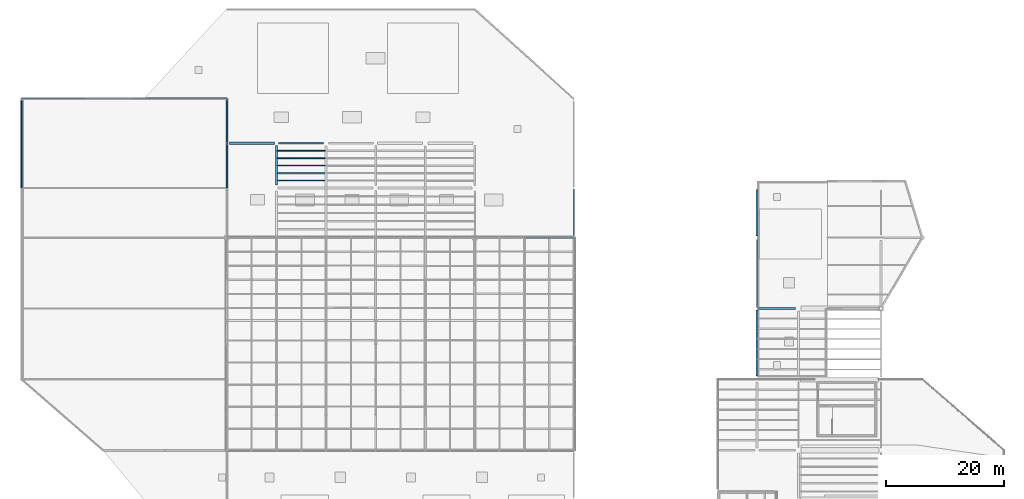
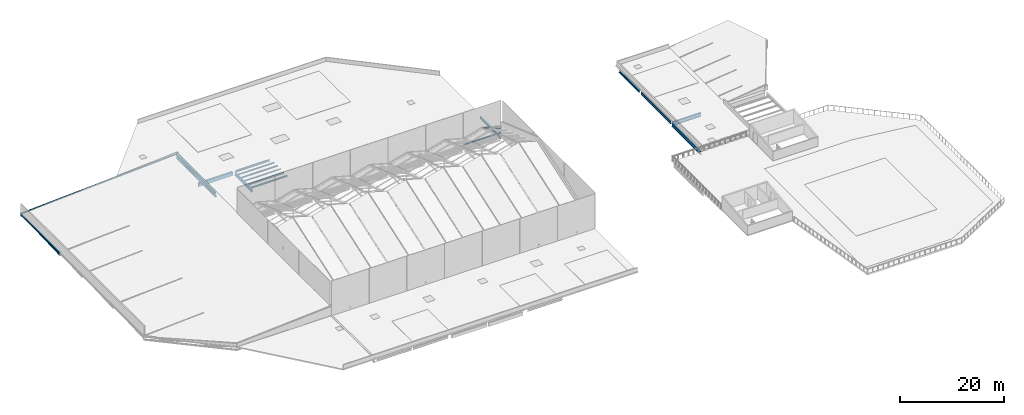
# One storey, part 36 of 77: 14 beams, 10 members.
"""IFC4 building model written with IfcOpenShell, lengths in metres."""

from ifc_helpers import new_model, si_unit, direction, frame, origin, origin_2d, place, context, subcontext, project, spatial, rectangle, hollow_rectangle, hollow_circle, i_section, extrude, material, material_profile, profile_set, type_object, element, save


model = new_model("IFC4")

# Units and contexts
model_context = context("Model", 3, precision=1e-05, world=origin(), true_north=direction((0.0, 1.0)))
body_context = subcontext(model_context, "Body", "Model", "MODEL_VIEW")
ifc_project = project(units=[si_unit("LENGTHUNIT", "METRE"), si_unit("AREAUNIT", "SQUARE_METRE"), si_unit("VOLUMEUNIT", "CUBIC_METRE"), si_unit("PLANEANGLEUNIT", "RADIAN"), si_unit("MASSUNIT", "GRAM", prefix="KILO")], contexts=[model_context])

# Site, building, storey
site_placement = place(None, origin())
site = spatial("IfcSite", under=ifc_project, at=site_placement, CompositionType="ELEMENT")
building_placement = place(site_placement, origin())
building = spatial("IfcBuilding", under=site, at=building_placement, Name="Larkvane Passage Sports Hall", CompositionType="ELEMENT")
storey_placement = place(building_placement, frame((0.0, 0.0, 22.199951171875)))
storey = spatial("IfcBuildingStorey", under=building, at=storey_placement, Name="RF", CompositionType="ELEMENT", Elevation=22.199951171875)

# Beams
ifc_material_1 = material(Name="Steel S355JR", Category="steel")
ifc_material_profile_1 = material_profile(ifc_material_1, i_section(OverallWidth=0.199951171875, OverallDepth=0.2939453125, WebThickness=0.008056640625, FlangeThickness=0.011962890625, FilletRadius=0.012939453125, at=origin_2d()), Name="H-294x200x8x12")
ifc_profile_set_1 = profile_set([ifc_material_profile_1], Name="Steel S355JR")
beam_type_1 = type_object("IfcBeamType", Name="BM-STL-H294", PredefinedType="BEAM", material=ifc_profile_set_1)
beam_1_placement = place(storey_placement, frame((85.199951171875, 75.60009765625, 0.81298828125), z_axis=(1.0, 0.0, 0.0), x_axis=(0.0, 1.0, 0.0)))
element("IfcBeam", 1, at=beam_1_placement, inside=storey, type_object=beam_type_1, Name="Arena roof north clerestory lintel beam 7", PredefinedType="BEAM", context=body_context, shape_type="SweptSolid", body=[
    extrude(i_section(OverallWidth=0.199951171875, OverallDepth=0.2939453125, WebThickness=0.008056640625, FlangeThickness=0.011962890625, FilletRadius=0.012939453125, at=origin_2d()), origin(), (0.0, 0.0, 1.0), 8.400146484375),
])
ifc_material_profile_2 = material_profile(ifc_material_1, i_section(OverallWidth=0.300048828125, OverallDepth=0.43994140625, WebThickness=0.010986328125, FlangeThickness=0.01806640625, FilletRadius=0.01806640625, at=origin_2d()), Name="H-440x300x11x18")
ifc_profile_set_2 = profile_set([ifc_material_profile_2], Name="Steel S355JR")
beam_type_2 = type_object("IfcBeamType", Name="BM-STL-H440", PredefinedType="BEAM", material=ifc_profile_set_2)
beam_2_placement = place(storey_placement, frame((124.60009765625, 75.875, -0.599853515625), z_axis=(0.0, 1.0, 0.0), x_axis=(-1.0, 0.0, 0.0)))
element("IfcBeam", 2, at=beam_2_placement, inside=storey, type_object=beam_type_2, Name="Girder BM5-Y-RF-17-1186", PredefinedType="BEAM", context=body_context, shape_type="SweptSolid", body=[
    extrude(i_section(OverallWidth=0.300048828125, OverallDepth=0.43994140625, WebThickness=0.010986328125, FlangeThickness=0.01806640625, FilletRadius=0.01806640625, at=origin_2d()), origin(), (0.0, 0.0, 1.0), 7.87109375),
])
ifc_material_profile_3 = material_profile(ifc_material_1, i_section(OverallWidth=0.199951171875, OverallDepth=0.60009765625, WebThickness=0.010986328125, FlangeThickness=0.01708984375, FilletRadius=0.01806640625, at=origin_2d()), Name="H-600x200x11x17")
ifc_profile_set_3 = profile_set([ifc_material_profile_3], Name="Steel S355JR")
beam_type_3 = type_object("IfcBeamType", Name="BM-STL-H600", PredefinedType="BEAM", material=ifc_profile_set_3)
beam_3_placement = place(storey_placement, frame((124.60009765625, 63.80322265625, -0.679931640625), z_axis=(0.0, 1.0, 0.0), x_axis=(-1.0, 0.0, 0.0)))
element("IfcBeam", 3, at=beam_3_placement, inside=storey, type_object=beam_type_3, Name="Girder BM5-Y-RF-17-1185", PredefinedType="BEAM", context=body_context, shape_type="SweptSolid", body=[
    extrude(i_section(OverallWidth=0.199951171875, OverallDepth=0.60009765625, WebThickness=0.010986328125, FlangeThickness=0.01708984375, FilletRadius=0.01806640625, at=origin_2d()), origin(), (0.0, 0.0, 1.0), 11.521728515625),
])
ifc_material_2 = material(Name="Steel S460N", Category="steel")
ifc_material_profile_4 = material_profile(ifc_material_2, i_section(OverallWidth=0.300048828125, OverallDepth=0.699951171875, WebThickness=0.012939453125, FlangeThickness=0.02392578125, FilletRadius=0.02197265625, at=origin_2d()), Name="H-700x300x13x24")
ifc_profile_set_4 = profile_set([ifc_material_profile_4], Name="Steel S460N")
beam_type_4 = type_object("IfcBeamType", Name="BM-STL-H700", PredefinedType="BEAM", material=ifc_profile_set_4)
beam_4_placement = place(storey_placement, frame((43.199951171875, 84.5, -0.72998046875), z_axis=(0.0, 1.0, 0.0), x_axis=(-1.0, 0.0, 0.0)))
element("IfcBeam", 4, at=beam_4_placement, inside=storey, type_object=beam_type_4, Name="Girder BM5-Y-RF-7-1166", PredefinedType="BEAM", context=body_context, shape_type="SweptSolid", body=[
    extrude(i_section(OverallWidth=0.300048828125, OverallDepth=0.699951171875, WebThickness=0.012939453125, FlangeThickness=0.02392578125, FilletRadius=0.02197265625, at=origin_2d()), origin(), (0.0, 0.0, 1.0), 6.75),
])
ifc_material_profile_5 = material_profile(ifc_material_2, i_section(OverallWidth=0.300048828125, OverallDepth=0.7919921875, WebThickness=0.013916015625, FlangeThickness=0.02197265625, FilletRadius=0.02197265625, at=origin_2d()), Name="H-792x300x14x22")
ifc_profile_set_5 = profile_set([ifc_material_profile_5], Name="Steel S460N")
beam_type_5 = type_object("IfcBeamType", Name="BM-STL-H792", PredefinedType="BEAM", material=ifc_profile_set_5)
beam_5_placement = place(storey_placement, frame((124.60009765625, 52.14990234375, -0.77587890625), z_axis=(0.0, 1.0, 0.0), x_axis=(-1.0, 0.0, 0.0)))
element("IfcBeam", 5, at=beam_5_placement, inside=storey, type_object=beam_type_5, Name="Girder BM5-Y-RF-17-1184", PredefinedType="BEAM", context=body_context, shape_type="SweptSolid", body=[
    extrude(i_section(OverallWidth=0.300048828125, OverallDepth=0.7919921875, WebThickness=0.013916015625, FlangeThickness=0.02197265625, FilletRadius=0.02197265625, at=origin_2d()), origin(), (0.0, 0.0, 1.0), 11.246826171875),
])
ifc_material_profile_6 = material_profile(ifc_material_2, i_section(OverallWidth=0.300048828125, OverallDepth=0.89990234375, WebThickness=0.01611328125, FlangeThickness=0.028076171875, FilletRadius=0.02197265625, at=origin_2d()), Name="H-900x300x16x28")
ifc_profile_set_6 = profile_set([ifc_material_profile_6], Name="Steel S460N")
beam_type_6 = type_object("IfcBeamType", Name="BM-STL-H900", PredefinedType="BEAM", material=ifc_profile_set_6)
beam_6_placement = place(storey_placement, frame((124.80322265625, 63.60009765625, -0.829833984375), z_axis=(1.0, 0.0, 0.0), x_axis=(0.0, 1.0, 0.0)))
element("IfcBeam", 6, at=beam_6_placement, inside=storey, type_object=beam_type_6, Name="Girder BM5-X-RF-H-1144", PredefinedType="BEAM", context=body_context, shape_type="SweptSolid", body=[
    extrude(i_section(OverallWidth=0.300048828125, OverallDepth=0.89990234375, WebThickness=0.01611328125, FlangeThickness=0.028076171875, FilletRadius=0.02197265625, at=origin_2d()), origin(), (0.0, 0.0, 1.0), 6.3466796875),
])
ifc_material_profile_7 = material_profile(ifc_material_1, i_section(OverallWidth=0.10009765625, OverallDepth=0.199951171875, WebThickness=0.005615234375, FlangeThickness=0.008056640625, FilletRadius=0.008056640625, at=origin_2d()), Name="H-200x100x5.5x8")
ifc_profile_set_7 = profile_set([ifc_material_profile_7], Name="Steel S355JR")
beam_type_7 = type_object("IfcBeamType", Name="JST-STL-H200", PredefinedType="JOIST", material=ifc_profile_set_7)
beam_7_placement = place(storey_placement, frame((43.35009765625, 87.800048828125, -0.47998046875), z_axis=(1.0, 0.0, 0.0), x_axis=(0.0, 1.0, 0.0)))
element("IfcBeam", 7, at=beam_7_placement, inside=storey, type_object=beam_type_7, Name="Composite joist RF 7/K-3", PredefinedType="JOIST", context=body_context, shape_type="SweptSolid", body=[
    extrude(i_section(OverallWidth=0.10009765625, OverallDepth=0.199951171875, WebThickness=0.005615234375, FlangeThickness=0.008056640625, FilletRadius=0.008056640625, at=origin_2d()), origin(), (0.0, 0.0, 1.0), 8.100341796875),
])
ifc_material_profile_8 = material_profile(ifc_material_1, i_section(OverallWidth=0.125, OverallDepth=0.25, WebThickness=0.006103515625, FlangeThickness=0.009033203125, FilletRadius=0.008056640625, at=origin_2d()), Name="H-250x125x6x9")
ifc_profile_set_8 = profile_set([ifc_material_profile_8], Name="Steel S355JR")
beam_type_8 = type_object("IfcBeamType", Name="JST-STL-H250", PredefinedType="JOIST", material=ifc_profile_set_8)
beam_8_placement = place(storey_placement, frame((43.35009765625, 89.066650390625, -0.5048828125), z_axis=(1.0, 0.0, 0.0), x_axis=(0.0, 1.0, 0.0)))
element("IfcBeam", 8, at=beam_8_placement, inside=storey, type_object=beam_type_8, Name="Composite joist RF 7/K-4", PredefinedType="JOIST", context=body_context, shape_type="SweptSolid", body=[
    extrude(i_section(OverallWidth=0.125, OverallDepth=0.25, WebThickness=0.006103515625, FlangeThickness=0.009033203125, FilletRadius=0.008056640625, at=origin_2d()), origin(), (0.0, 0.0, 1.0), 8.100341796875),
])
ifc_material_profile_9 = material_profile(ifc_material_1, i_section(OverallWidth=0.14990234375, OverallDepth=0.300048828125, WebThickness=0.006591796875, FlangeThickness=0.009033203125, FilletRadius=0.012939453125, at=origin_2d()), Name="H-300x150x6.5x9")
ifc_profile_set_9 = profile_set([ifc_material_profile_9], Name="Steel S355JR")
beam_type_9 = type_object("IfcBeamType", Name="JST-STL-H300", PredefinedType="JOIST", material=ifc_profile_set_9)
beam_9_placement = place(storey_placement, frame((43.35009765625, 90.333251953125, -0.530029296875), z_axis=(1.0, 0.0, 0.0), x_axis=(0.0, 1.0, 0.0)))
element("IfcBeam", 9, at=beam_9_placement, inside=storey, type_object=beam_type_9, Name="Composite joist RF 7/K-5", PredefinedType="JOIST", context=body_context, shape_type="SweptSolid", body=[
    extrude(i_section(OverallWidth=0.14990234375, OverallDepth=0.300048828125, WebThickness=0.006591796875, FlangeThickness=0.009033203125, FilletRadius=0.012939453125, at=origin_2d()), origin(), (0.0, 0.0, 1.0), 8.100341796875),
])
ifc_material_profile_10 = material_profile(ifc_material_1, i_section(OverallWidth=0.175048828125, OverallDepth=0.35009765625, WebThickness=0.007080078125, FlangeThickness=0.010986328125, FilletRadius=0.012939453125, at=origin_2d()), Name="H-350x175x7x11")
ifc_profile_set_10 = profile_set([ifc_material_profile_10], Name="Steel S355JR")
beam_type_10 = type_object("IfcBeamType", Name="JST-STL-H350", PredefinedType="JOIST", material=ifc_profile_set_10)
beam_10_placement = place(storey_placement, frame((43.35009765625, 85.2666015625, -0.554931640625), z_axis=(1.0, 0.0, 0.0), x_axis=(0.0, 1.0, 0.0)))
element("IfcBeam", 10, at=beam_10_placement, inside=storey, type_object=beam_type_10, Name="Composite joist RF 7/K-1", PredefinedType="JOIST", context=body_context, shape_type="SweptSolid", body=[
    extrude(i_section(OverallWidth=0.175048828125, OverallDepth=0.35009765625, WebThickness=0.007080078125, FlangeThickness=0.010986328125, FilletRadius=0.012939453125, at=origin_2d()), origin(), (0.0, 0.0, 1.0), 8.100341796875),
])
ifc_material_profile_11 = material_profile(ifc_material_1, i_section(OverallWidth=0.199951171875, OverallDepth=0.39990234375, WebThickness=0.008056640625, FlangeThickness=0.012939453125, FilletRadius=0.012939453125, at=origin_2d()), Name="H-400x200x8x13")
ifc_profile_set_11 = profile_set([ifc_material_profile_11], Name="Steel S355JR")
beam_type_11 = type_object("IfcBeamType", Name="JST-STL-H400", PredefinedType="JOIST", material=ifc_profile_set_11)
beam_11_placement = place(storey_placement, frame((43.35009765625, 86.533447265625, -0.579833984375), z_axis=(1.0, 0.0, 0.0), x_axis=(0.0, 1.0, 0.0)))
element("IfcBeam", 11, at=beam_11_placement, inside=storey, type_object=beam_type_11, Name="Composite joist RF 7/K-2", PredefinedType="JOIST", context=body_context, shape_type="SweptSolid", body=[
    extrude(i_section(OverallWidth=0.199951171875, OverallDepth=0.39990234375, WebThickness=0.008056640625, FlangeThickness=0.012939453125, FilletRadius=0.012939453125, at=origin_2d()), origin(), (0.0, 0.0, 1.0), 8.100341796875),
])

# Members
ifc_material_profile_12 = material_profile(ifc_material_1, hollow_circle(Radius=0.108154296875, WallThickness=0.00830078125, at=origin_2d()), Name="CHS-216.3x8.2")
ifc_profile_set_12 = profile_set([ifc_material_profile_12], Name="Steel S355JR")
member_type_1 = type_object("IfcMemberType", Name="MBR-BR-CHS216", PredefinedType="BRACE", material=ifc_profile_set_12)
member_1_placement = place(storey_placement, frame((34.800048828125, 84.0, 1.199951171875), z_axis=(0.0, 0.994774367345, 0.102097786819), x_axis=(-1.0, 0.0, 0.0)))
element("IfcMember", 12, at=member_1_placement, inside=storey, type_object=member_type_1, Name="Northwest roof ridge truss web 2", PredefinedType="BRACE", context=body_context, shape_type="SweptSolid", body=[
    extrude(hollow_circle(Radius=0.108154296875, WallThickness=0.00830078125, at=origin_2d()), origin(), (0.0, 0.0, 1.0), 7.64013671875),
])
member_2_placement = place(storey_placement, frame((34.800048828125, 91.60009765625, 1.199951171875), z_axis=(0.0, 0.994774034226, 0.102101032457), x_axis=(-1.0, 0.0, 0.0)))
element("IfcMember", 13, at=member_2_placement, inside=storey, type_object=member_type_1, Name="Northwest roof ridge truss web 3", PredefinedType="BRACE", context=body_context, shape_type="SweptSolid", body=[
    extrude(hollow_circle(Radius=0.108154296875, WallThickness=0.00830078125, at=origin_2d()), origin(), (0.0, 0.0, 1.0), 7.639892578125),
])
ifc_material_profile_13 = material_profile(ifc_material_1, hollow_rectangle(XDim=0.14990234375, YDim=0.14990234375, WallThickness=0.008056640625, InnerFilletRadius=0.008056640625, OuterFilletRadius=0.01611328125, at=origin_2d()), Name="SHS-150x150x8")
ifc_profile_set_13 = profile_set([ifc_material_profile_13], Name="Steel S355JR")
member_type_2 = type_object("IfcMemberType", Name="MBR-BR-SHS150", PredefinedType="BRACE", material=ifc_profile_set_13)
member_3_placement = place(storey_placement, frame((0.0, 84.0, -0.544921875), z_axis=(0.0, 0.999291511884, 0.037636076798), x_axis=(-1.0, 0.0, 0.0)))
element("IfcMember", 14, at=member_3_placement, inside=storey, type_object=member_type_2, Name="Northwest roof west eave truss web 4", PredefinedType="BRACE", context=body_context, shape_type="SweptSolid", body=[
    extrude(hollow_rectangle(XDim=0.14990234375, YDim=0.14990234375, WallThickness=0.008056640625, InnerFilletRadius=0.008056640625, OuterFilletRadius=0.01611328125, at=origin_2d()), origin(), (0.0, 0.0, 1.0), 15.0107421875),
])
ifc_material_profile_14 = material_profile(ifc_material_2, i_section(OverallWidth=0.300048828125, OverallDepth=0.300048828125, WebThickness=0.010009765625, FlangeThickness=0.014892578125, FilletRadius=0.012939453125, at=origin_2d()), Name="H-300x300x10x15")
ifc_profile_set_14 = profile_set([ifc_material_profile_14], Name="Steel S460N")
member_type_3 = type_object("IfcMemberType", Name="MBR-CH-H300", PredefinedType="CHORD", material=ifc_profile_set_14)
member_4_placement = place(storey_placement, frame((89.39990234375, 75.60009765625, 3.25), z_axis=(0.950713550163, 0.0, -0.310070549289), x_axis=(0.0, 1.0, 0.0)))
element("IfcMember", 15, at=member_4_placement, inside=storey, type_object=member_type_3, Name="Arena roof fold tie 7-NEAVE-E", PredefinedType="CHORD", context=body_context, shape_type="SweptSolid", body=[
    extrude(i_section(OverallWidth=0.300048828125, OverallDepth=0.300048828125, WebThickness=0.010009765625, FlangeThickness=0.014892578125, FilletRadius=0.012939453125, at=origin_2d()), origin(), (0.0, 0.0, 1.0), 4.41796875),
])
member_5_placement = place(storey_placement, frame((0.0, 84.0, 0.02001953125), z_axis=(0.0, 1.0, 0.0), x_axis=(-1.0, 0.0, 0.0)))
element("IfcMember", 16, at=member_5_placement, inside=storey, type_object=member_type_3, Name="Northwest roof west eave truss top chord 4", PredefinedType="CHORD", context=body_context, shape_type="SweptSolid", body=[
    extrude(i_section(OverallWidth=0.300048828125, OverallDepth=0.300048828125, WebThickness=0.010009765625, FlangeThickness=0.014892578125, FilletRadius=0.012939453125, at=origin_2d()), origin(), (0.0, 0.0, 1.0), 15.0),
])
ifc_material_profile_15 = material_profile(ifc_material_2, i_section(OverallWidth=0.35009765625, OverallDepth=0.35009765625, WebThickness=0.011962890625, FlangeThickness=0.01904296875, FilletRadius=0.012939453125, at=origin_2d()), Name="H-350x350x12x19")
ifc_profile_set_15 = profile_set([ifc_material_profile_15], Name="Steel S460N")
member_type_4 = type_object("IfcMemberType", Name="MBR-CH-H350", PredefinedType="CHORD", material=ifc_profile_set_15)
for number, where, z_axis, x_axis, name in (
    (17, (34.800048828125, 84.0, 1.199951171875), (0.0, 1.0, 0.0), (-1.0, 0.0, 0.0), "Northwest roof ridge truss bottom chord 2"),
    (18, (34.800048828125, 84.0, 1.97998046875), (0.0, 1.0, 0.0), (-1.0, 0.0, 0.0), "Northwest roof ridge truss top chord 2"),
):
    element("IfcMember", number, at=place(storey_placement, frame(where, z_axis=z_axis, x_axis=x_axis)), inside=storey, type_object=member_type_4, Name=name, PredefinedType="CHORD", context=body_context, shape_type="SweptSolid", body=[
        extrude(i_section(OverallWidth=0.35009765625, OverallDepth=0.35009765625, WebThickness=0.011962890625, FlangeThickness=0.01904296875, FilletRadius=0.012939453125, at=origin_2d()), origin(), (0.0, 0.0, 1.0), 7.60009765625),
    ])
for number, where, z_axis, x_axis, name in (
    (19, (34.800048828125, 91.60009765625, 1.199951171875), (0.0, 1.0, 0.0), (-1.0, 0.0, 0.0), "Northwest roof ridge truss bottom chord 3"),
    (20, (34.800048828125, 91.60009765625, 1.97998046875), (0.0, 1.0, 0.0), (-1.0, 0.0, 0.0), "Northwest roof ridge truss top chord 3"),
):
    element("IfcMember", number, at=place(storey_placement, frame(where, z_axis=z_axis, x_axis=x_axis)), inside=storey, type_object=member_type_4, Name=name, PredefinedType="CHORD", context=body_context, shape_type="SweptSolid", body=[
        extrude(i_section(OverallWidth=0.35009765625, OverallDepth=0.35009765625, WebThickness=0.011962890625, FlangeThickness=0.01904296875, FilletRadius=0.012939453125, at=origin_2d()), origin(), (0.0, 0.0, 1.0), 7.599853515625),
    ])
ifc_material_profile_16 = material_profile(ifc_material_1, i_section(OverallWidth=0.14990234375, OverallDepth=0.300048828125, WebThickness=0.006591796875, FlangeThickness=0.009033203125, FilletRadius=0.012939453125, at=origin_2d()), Name="H-300x150x6.5x9")
ifc_profile_set_16 = profile_set([ifc_material_profile_16], Name="Steel S355JR")
member_type_5 = type_object("IfcMemberType", Name="MBR-RF-H300", PredefinedType="RAFTER", material=ifc_profile_set_16)
member_6_placement = place(storey_placement, frame((0.0, 99.199951171875, 0.02001953125), z_axis=(0.998417756074, 0.0, 0.056231524584), x_axis=(0.0, 1.0, 0.0)))
element("IfcMember", 21, at=member_6_placement, inside=storey, type_object=member_type_5, Name="Northwest court sloped roof rafter 5", PredefinedType="RAFTER", context=body_context, shape_type="SweptSolid", body=[
    extrude(i_section(OverallWidth=0.14990234375, OverallDepth=0.300048828125, WebThickness=0.006591796875, FlangeThickness=0.009033203125, FilletRadius=0.012939453125, at=origin_2d()), origin(), (0.0, 0.0, 1.0), 34.855224609375),
])

# Beams
ifc_material_3 = material(Name="Concrete C40/50", Category="concrete")
ifc_material_profile_17 = material_profile(ifc_material_3, rectangle(XDim=0.39990234375, YDim=0.85009765625, at=origin_2d()), Name="RC-SP-400x850")
ifc_profile_set_17 = profile_set([ifc_material_profile_17], Name="Concrete C40/50")
beam_type_12 = type_object("IfcBeamType", Name="SP-RC-400x850", PredefinedType="SPANDREL", material=ifc_profile_set_17)
beam_12_placement = place(storey_placement, frame((35.25, 91.60009765625, -0.804931640625), z_axis=(1.0, 0.0, 0.0), x_axis=(0.0, 1.0, 0.0)))
element("IfcBeam", 22, at=beam_12_placement, inside=storey, type_object=beam_type_12, Name="Girder BM5-X-RF-L-1158", PredefinedType="SPANDREL", context=body_context, shape_type="SweptSolid", body=[
    extrude(rectangle(XDim=0.39990234375, YDim=0.85009765625, at=origin_2d()), origin(), (0.0, 0.0, 1.0), 7.60009765625),
])
ifc_material_profile_18 = material_profile(ifc_material_1, i_section(OverallWidth=0.199951171875, OverallDepth=0.449951171875, WebThickness=0.009033203125, FlangeThickness=0.013916015625, FilletRadius=0.01806640625, at=origin_2d()), Name="H-450x200x9x14")
ifc_profile_set_18 = profile_set([ifc_material_profile_18], Name="Steel S355JR")
beam_type_13 = type_object("IfcBeamType", Name="SP-STL-H450", PredefinedType="SPANDREL", material=ifc_profile_set_18)
beam_13_placement = place(storey_placement, frame((43.550048828125, 91.60009765625, -0.60498046875), z_axis=(1.0, 0.0, 0.0), x_axis=(0.0, 1.0, 0.0)))
element("IfcBeam", 23, at=beam_13_placement, inside=storey, type_object=beam_type_13, Name="Girder BM5-X-RF-L-1159", PredefinedType="SPANDREL", context=body_context, shape_type="SweptSolid", body=[
    extrude(i_section(OverallWidth=0.199951171875, OverallDepth=0.449951171875, WebThickness=0.009033203125, FlangeThickness=0.013916015625, FilletRadius=0.01806640625, at=origin_2d()), origin(), (0.0, 0.0, 1.0), 7.599853515625),
])
ifc_material_profile_19 = material_profile(ifc_material_1, i_section(OverallWidth=0.199951171875, OverallDepth=0.5, WebThickness=0.010009765625, FlangeThickness=0.01611328125, FilletRadius=0.01806640625, at=origin_2d()), Name="H-500x200x10x16")
ifc_profile_set_19 = profile_set([ifc_material_profile_19], Name="Steel S355JR")
beam_type_14 = type_object("IfcBeamType", Name="SP-STL-H500", PredefinedType="SPANDREL", material=ifc_profile_set_19)
beam_14_placement = place(storey_placement, frame((93.60009765625, 75.77490234375, -0.6298828125), z_axis=(0.0, 1.0, 0.0), x_axis=(-1.0, 0.0, 0.0)))
element("IfcBeam", 24, at=beam_14_placement, inside=storey, type_object=beam_type_14, Name="Girder BM5-Y-RF-13-1180", PredefinedType="SPANDREL", context=body_context, shape_type="SweptSolid", body=[
    extrude(i_section(OverallWidth=0.199951171875, OverallDepth=0.5, WebThickness=0.010009765625, FlangeThickness=0.01611328125, FilletRadius=0.01806640625, at=origin_2d()), origin(), (0.0, 0.0, 1.0), 8.050048828125),
])

save(model, "model.ifc")
